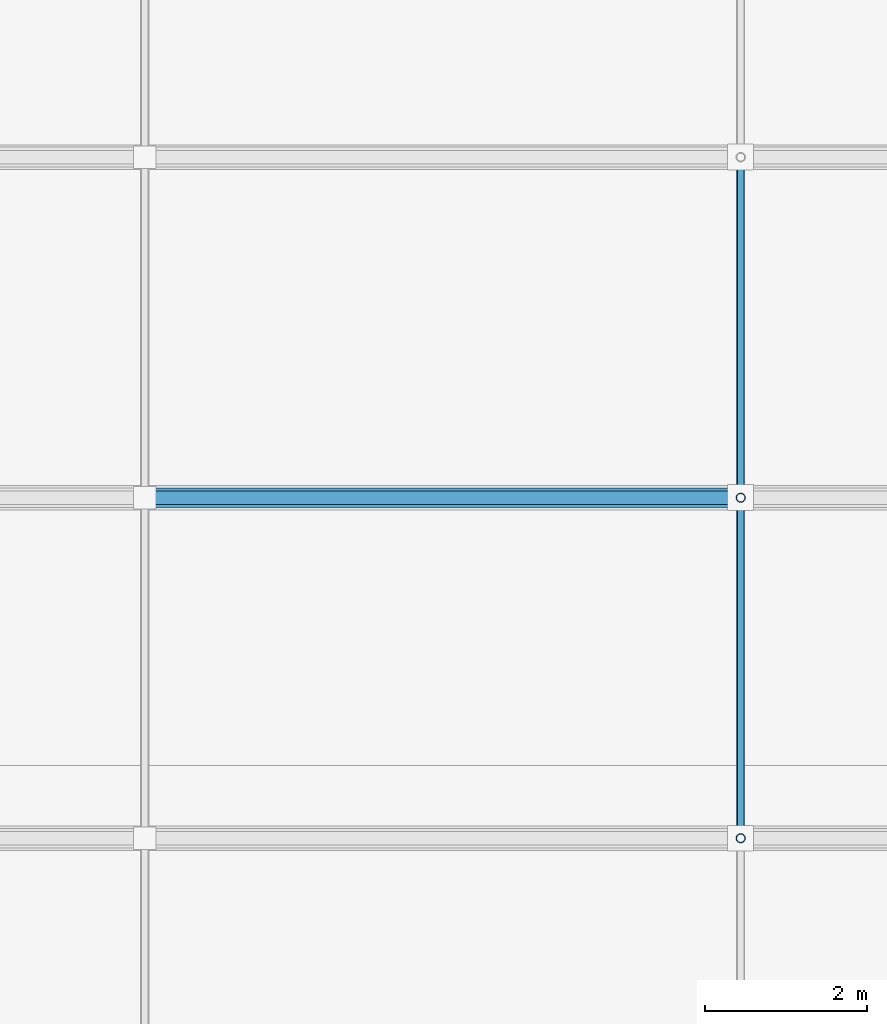
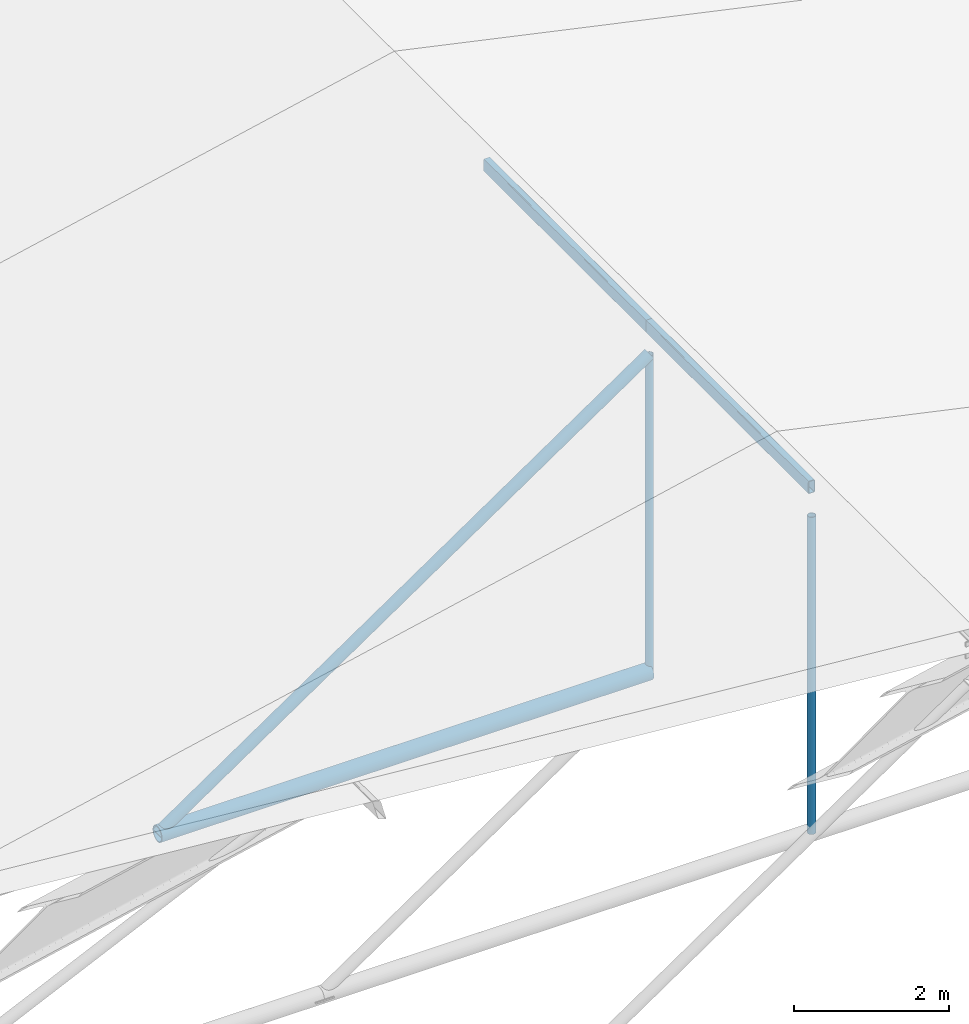
# One storey, part 15 of 60: 6 members.
"""IFC4 building model written with IfcOpenShell, lengths in metres."""

from ifc_helpers import new_model, si_unit, direction, frame, origin, origin_2d, place, context, subcontext, project, spatial, hollow_rectangle, hollow_circle, extrude, material, material_profile, profile_set, type_object, element, save


model = new_model("IFC4")

# Units and contexts
model_context = context("Model", 3, precision=1e-05, world=origin(), true_north=direction((0.0, 1.0)))
body_context = subcontext(model_context, "Body", "Model", "MODEL_VIEW")
ifc_project = project(units=[si_unit("LENGTHUNIT", "METRE"), si_unit("AREAUNIT", "SQUARE_METRE"), si_unit("VOLUMEUNIT", "CUBIC_METRE"), si_unit("PLANEANGLEUNIT", "RADIAN"), si_unit("MASSUNIT", "GRAM", prefix="KILO")], contexts=[model_context])

# Site, building, storey
site_placement = place(None, origin())
site = spatial("IfcSite", under=ifc_project, at=site_placement, CompositionType="ELEMENT")
building_placement = place(site_placement, origin())
building = spatial("IfcBuilding", under=site, at=building_placement, Name="Nakhvara Creek Congress Hotel", CompositionType="ELEMENT")
storey_placement = place(building_placement, frame((0.0, 0.0, 54.60009765625)))
storey = spatial("IfcBuildingStorey", under=building, at=storey_placement, Name="RL1", CompositionType="ELEMENT", Elevation=54.60009765625)

# Members
ifc_material = material(Name="Steel S355J2H", Category="steel")
ifc_material_profile_1 = material_profile(ifc_material, hollow_circle(Radius=0.084228515625, WallThickness=0.008056640625, at=origin_2d()), Name="CHS 168.3x8.0", Category="LoadBearing")
ifc_profile_set_1 = profile_set([ifc_material_profile_1], Name="Steel S355J2H")
member_type_1 = type_object("IfcMemberType", Name="MEM-BRC-CHS168", PredefinedType="BRACE", material=ifc_profile_set_1)
member_1_placement = place(storey_placement, frame((19.050048828125, 99.60009765625, -41.89013671875), z_axis=(0.826292954583, 0.0, 0.563240581996), x_axis=(0.0, 1.0, 0.0)))
element("IfcMember", 1, at=member_1_placement, inside=storey, type_object=member_type_1, Name="Ballroom Roof Truss Web Brace 03.3", PredefinedType="BRACE", context=body_context, shape_type="SweptSolid", body=[
    extrude(hollow_circle(Radius=0.084228515625, WallThickness=0.008056640625, at=origin_2d()), origin(), (0.0, 0.0, 1.0), 8.89501953125),
])
ifc_material_profile_2 = material_profile(ifc_material, hollow_circle(Radius=0.122314453125, WallThickness=0.012451171875, at=origin_2d()), Name="CHS 244.5x12.5", Category="LoadBearing")
ifc_profile_set_2 = profile_set([ifc_material_profile_2], Name="Steel S355J2H")
member_type_2 = type_object("IfcMemberType", Name="MEM-CHD-CHS244", PredefinedType="CHORD", material=ifc_profile_set_2)
member_2_placement = place(storey_placement, frame((19.050048828125, 99.60009765625, -41.89013671875), z_axis=(1.0, 0.0, 0.0), x_axis=(0.0, 1.0, 0.0)))
element("IfcMember", 2, at=member_2_placement, inside=storey, type_object=member_type_2, Name="Ballroom Roof Truss Bottom Chord 03.3", PredefinedType="CHORD", context=body_context, shape_type="SweptSolid", body=[
    extrude(hollow_circle(Radius=0.122314453125, WallThickness=0.012451171875, at=origin_2d()), origin(), (0.0, 0.0, 1.0), 7.349853515625),
])
ifc_material_profile_3 = material_profile(ifc_material, hollow_rectangle(XDim=0.10009765625, YDim=0.199951171875, WallThickness=0.008056640625, InnerFilletRadius=0.008056640625, OuterFilletRadius=0.01611328125, at=origin_2d()), Name="RHS 200x100x8.0", Category="LoadBearing")
ifc_profile_set_3 = profile_set([ifc_material_profile_3], Name="Steel S355J2H")
member_type_3 = type_object("IfcMemberType", Name="MEM-PUR-RHS200", PredefinedType="PURLIN", material=ifc_profile_set_3)
member_3_placement = place(storey_placement, frame((26.39990234375, 95.39990234375, -36.433837890625), z_axis=(0.0, 1.0, 0.0), x_axis=(-1.0, 0.0, 0.0)))
element("IfcMember", 3, at=member_3_placement, inside=storey, type_object=member_type_3, Name="Ballroom Roof Purlin 4.2", PredefinedType="PURLIN", context=body_context, shape_type="SweptSolid", body=[
    extrude(hollow_rectangle(XDim=0.10009765625, YDim=0.199951171875, WallThickness=0.008056640625, InnerFilletRadius=0.008056640625, OuterFilletRadius=0.01611328125, at=origin_2d()), origin(), (0.0, 0.0, 1.0), 4.2001953125),
])
member_4_placement = place(storey_placement, frame((26.39990234375, 99.60009765625, -36.433837890625), z_axis=(0.0, 1.0, 0.0), x_axis=(-1.0, 0.0, 0.0)))
element("IfcMember", 4, at=member_4_placement, inside=storey, type_object=member_type_3, Name="Ballroom Roof Purlin 4.3", PredefinedType="PURLIN", context=body_context, shape_type="SweptSolid", body=[
    extrude(hollow_rectangle(XDim=0.10009765625, YDim=0.199951171875, WallThickness=0.008056640625, InnerFilletRadius=0.008056640625, OuterFilletRadius=0.01611328125, at=origin_2d()), origin(), (0.0, 0.0, 1.0), 4.199951171875),
])
ifc_material_profile_4 = material_profile(ifc_material, hollow_circle(Radius=0.05712890625, WallThickness=0.00634765625, at=origin_2d()), Name="CHS 114.3x6.3", Category="LoadBearing")
ifc_profile_set_4 = profile_set([ifc_material_profile_4], Name="Steel S355J2H")
member_type_4 = type_object("IfcMemberType", Name="MEM-STR-CHS114", PredefinedType="STRUT", material=ifc_profile_set_4)
for number, where, z_axis, x_axis, name in (
    (5, (26.39990234375, 95.39990234375, -41.89013671875), (0.0, 0.0, 1.0), (1.0, 0.0, 0.0), "Ballroom Roof Truss King-Post 02"),
    (6, (26.39990234375, 99.60009765625, -41.89013671875), (0.0, 0.0, 1.0), (1.0, 0.0, 0.0), "Ballroom Roof Truss King-Post 03"),
):
    element("IfcMember", number, at=place(storey_placement, frame(where, z_axis=z_axis, x_axis=x_axis)), inside=storey, type_object=member_type_4, Name=name, PredefinedType="STRUT", context=body_context, shape_type="SweptSolid", body=[
        extrude(hollow_circle(Radius=0.05712890625, WallThickness=0.00634765625, at=origin_2d()), origin(), (0.0, 0.0, 1.0), 5.010009765625),
    ])

save(model, "model.ifc")
